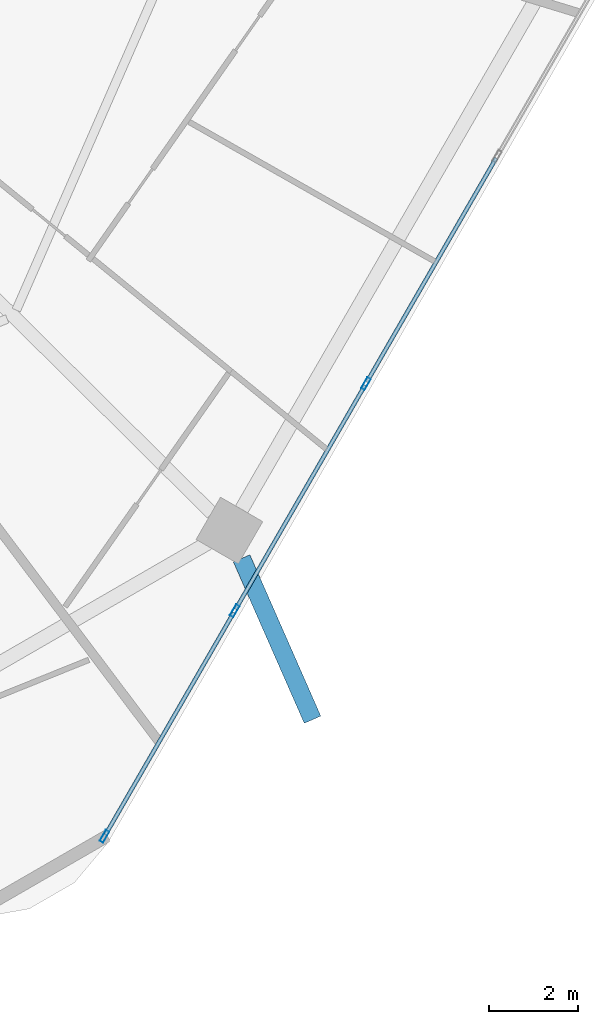
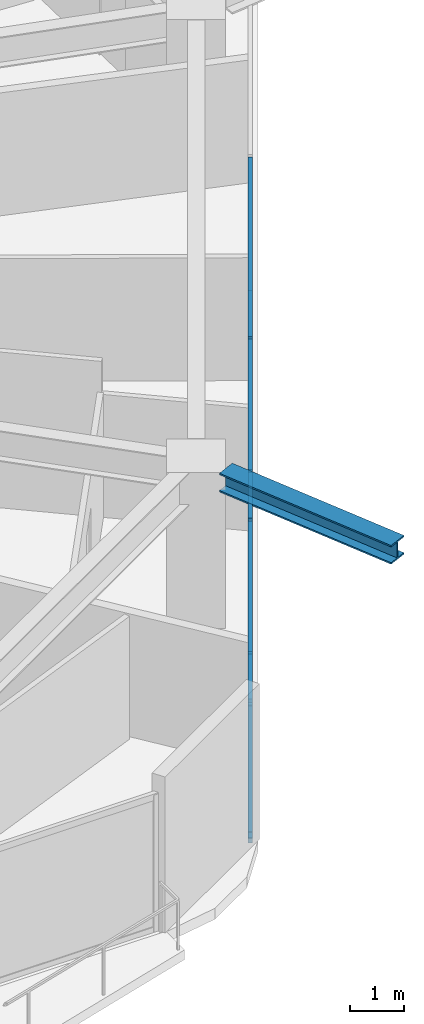
# One storey, part 9 of 33: 9 members, 1 beam, 1 element without a shape of its own.
"""IFC4 building model written with IfcOpenShell, lengths in metres."""

import ifcopenshell
import ifcopenshell.guid

model = None  # the IFC model being written
_history = None  # IfcOwnerHistory: only IFC2X3 demands one
_inside = {}  # id of a spatial element -> (the spatial element, [elements in it])
_under = {}  # id of a project, library or spatial element -> (it, [spatial elements below it])
_declared = {}  # id of a project -> (the project, [libraries it declares])
_typed = {}  # id of a type object -> (the type object, [elements of that type])
_made_of = {}  # id of a material, layer set ... -> (it, [elements and type objects made of it])


def new_model(schema):
    """Start an empty IFC model of exactly this schema.

    Asked for "IFC4X3", IfcOpenShell would pick the latest addendum, in which some entities
    have other attributes; the version numbers below select the first issue.
    IFC2X3 requires an IfcOwnerHistory on every rooted entity: one is made here for all.
    """
    global model, _history
    if schema == "IFC4X3":
        model = ifcopenshell.file(schema_version=(4, 3, 0, 0))
    else:
        model = ifcopenshell.file(schema=schema)
    _inside.clear()
    _under.clear()
    _declared.clear()
    _typed.clear()
    _made_of.clear()
    _history = None
    if model.schema == "IFC2X3":
        org = make("IfcOrganization", Name="unknown")
        user = make(
            "IfcPersonAndOrganization",
            ThePerson=make("IfcPerson", FamilyName="unknown"),
            TheOrganization=org,
        )
        app = make(
            "IfcApplication",
            ApplicationDeveloper=org,
            Version="unknown",
            ApplicationFullName="unknown",
            ApplicationIdentifier="unknown",
        )
        _history = make(
            "IfcOwnerHistory",
            OwningUser=user,
            OwningApplication=app,
            ChangeAction="ADDED",
            CreationDate=0,
        )
    return model


def make(cls, **values):
    """One entity of the class cls with the attributes given. An attribute that is None is left unset."""
    return model.create_entity(
        cls, **{name: value for name, value in values.items() if value is not None}
    )


def rooted(cls, **values):
    """An entity with a GlobalId (a new one), such as an element, a storey or a relation."""
    return make(cls, GlobalId=ifcopenshell.guid.new(), OwnerHistory=_history, **values)


def si_unit(unit_type, name, prefix=None):
    """IfcSIUnit, for example si_unit("LENGTHUNIT", "METRE", prefix="MILLI")."""
    return make("IfcSIUnit", UnitType=unit_type, Prefix=prefix, Name=name)


def assignment(units):
    """IfcUnitAssignment: the units of a project."""
    return None if units is None else make("IfcUnitAssignment", Units=units)


def point(xyz):
    """IfcCartesianPoint."""
    return None if xyz is None else make("IfcCartesianPoint", Coordinates=xyz)


def direction(xyz):
    """IfcDirection."""
    return None if xyz is None else make("IfcDirection", DirectionRatios=xyz)


def frame(location, z_axis=None, x_axis=None):
    """IfcAxis2Placement3D, a coordinate frame: its origin and axes. An axis left out is left unset."""
    return make(
        "IfcAxis2Placement3D",
        Location=point(location),
        Axis=direction(z_axis),
        RefDirection=direction(x_axis),
    )


def frame_2d(location, x_axis=None):
    """IfcAxis2Placement2D, a coordinate frame in the plane: its origin and x axis."""
    return make(
        "IfcAxis2Placement2D", Location=point(location), RefDirection=direction(x_axis)
    )


def origin():
    """The frame at (0, 0, 0) with its axes left unset."""
    return frame((0.0, 0.0, 0.0))


def origin_2d():
    """The frame at (0, 0) in the plane with its x axis left unset."""
    return frame_2d((0.0, 0.0))


def place(relative_to, where):
    """IfcLocalPlacement: puts the frame where relative to a parent placement (None: the world)."""
    return make(
        "IfcLocalPlacement", PlacementRelTo=relative_to, RelativePlacement=where
    )


def context(
    kind, dimensions, precision=None, world=None, true_north=None, identifier=None
):
    """IfcGeometricRepresentationContext, for example the 3D "Model" context."""
    return make(
        "IfcGeometricRepresentationContext",
        ContextIdentifier=identifier,
        ContextType=kind,
        CoordinateSpaceDimension=dimensions,
        Precision=precision,
        WorldCoordinateSystem=world,
        TrueNorth=true_north,
    )


def subcontext(parent, identifier, kind, view, scale=None):
    """IfcGeometricRepresentationSubContext, for example "Body" below "Model"."""
    return make(
        "IfcGeometricRepresentationSubContext",
        ContextIdentifier=identifier,
        ContextType=kind,
        ParentContext=parent,
        TargetScale=scale,
        TargetView=view,
    )


def project(units=None, contexts=None):
    """IfcProject with its units and contexts."""
    return rooted(
        "IfcProject",
        Name="project",
        RepresentationContexts=contexts,
        UnitsInContext=assignment(units),
    )


def spatial(cls, under=None, at=None, **own):
    """A site, building, storey or space (cls), placed at a placement, below another one or the project."""
    s = rooted(cls, ObjectPlacement=at, **own)
    if under is not None:
        _under.setdefault(under.id(), (under, []))[1].append(s)
    return s


def profile(cls, at=None, kind="AREA", **sizes):
    """A parametric profile (cls). Its sizes go by their IFC names, for example OverallWidth=200.0."""
    return make(cls, ProfileType=kind, Position=at, **sizes)


def hollow_rectangle(**sizes):
    """IfcRectangleHollowProfileDef."""
    return profile("IfcRectangleHollowProfileDef", **sizes)


def i_section(**sizes):
    """IfcIShapeProfileDef."""
    return profile("IfcIShapeProfileDef", **sizes)


def extrude(swept, where, along, depth):
    """IfcExtrudedAreaSolid: the profile swept, set in the frame where, extruded along a direction by depth."""
    return make(
        "IfcExtrudedAreaSolid",
        SweptArea=swept,
        Position=where,
        ExtrudedDirection=direction(along),
        Depth=depth,
    )


def shape(context_of_items, identifier, shape_type, items):
    """IfcShapeRepresentation: the items that make up one representation, for example the "Body"."""
    return make(
        "IfcShapeRepresentation",
        ContextOfItems=context_of_items,
        RepresentationIdentifier=identifier,
        RepresentationType=shape_type,
        Items=items,
    )


def material(Name=None, Category=None):
    """IfcMaterial."""
    return make("IfcMaterial", Name=Name, Category=Category)


def material_profile(
    of_material, cross_section, Name=None, Category=None, Priority=None
):
    """IfcMaterialProfile: a cross section and its material."""
    return make(
        "IfcMaterialProfile",
        Name=Name,
        Material=of_material,
        Profile=cross_section,
        Priority=Priority,
        Category=Category,
    )


def profile_set(profiles, Name=None, composite=None):
    """IfcMaterialProfileSet."""
    return make(
        "IfcMaterialProfileSet",
        Name=Name,
        MaterialProfiles=profiles,
        CompositeProfile=composite,
    )


def made_of(thing, what):
    """Note that an element or type object is made of a material, layer set ...; save() writes the relation."""
    if what is not None:
        _made_of.setdefault(what.id(), (what, []))[1].append(thing)
    return thing


def type_object(cls, material=None, **own):
    """A type object (cls), such as IfcWallType, which elements share."""
    return made_of(rooted(cls, **own), material)


def element(
    cls,
    number,
    at=None,
    inside=None,
    cuts=None,
    type_object=None,
    material=None,
    context=None,
    identifier="Body",
    shape_type=None,
    held_by="IfcProductDefinitionShape",
    body=None,
    shapes=None,
    **own,
):
    """One element of the class cls, such as IfcWall. Its Tag is "e" and its number.

    at: its placement. inside: the storey or other place that contains it. cuts: it is an
    opening in that element (IfcRelVoidsElement). A single representation is given by context,
    identifier, shape_type and body (its items); several are given by shapes. held_by: the class
    of the entity that holds the representations. save() writes the other relations.
    """
    e = rooted(cls, Tag="e%d" % number, ObjectPlacement=at, **own)
    if body is not None:
        shapes = [shape(context, identifier, shape_type, body)]
    if shapes is not None:
        e.Representation = make(held_by, Representations=shapes)
    if inside is not None:
        _inside.setdefault(inside.id(), (inside, []))[1].append(e)
    if cuts is not None:
        rooted(
            "IfcRelVoidsElement", RelatingBuildingElement=cuts, RelatedOpeningElement=e
        )
    if type_object is not None:
        _typed.setdefault(type_object.id(), (type_object, []))[1].append(e)
    return made_of(e, material)


def aggregate(whole, parts):
    """IfcRelAggregates: a whole, such as a stair, and the parts it consists of."""
    return rooted("IfcRelAggregates", RelatingObject=whole, RelatedObjects=parts)


def save(model, path):
    """Write the relations noted so far, then the file.

    IfcRelAggregates (storeys below a building ...), IfcRelContainedInSpatialStructure (elements
    in a storey), IfcRelDefinesByType, IfcRelAssociatesMaterial and IfcRelDeclares: one each for
    every whole, place, type object, material and project.
    """
    for whole, parts in _under.values():
        aggregate(whole, parts)
    for where, things in _inside.values():
        rooted(
            "IfcRelContainedInSpatialStructure",
            RelatedElements=things,
            RelatingStructure=where,
        )
    for kind, things in _typed.values():
        rooted("IfcRelDefinesByType", RelatedObjects=things, RelatingType=kind)
    for what, things in _made_of.values():
        rooted("IfcRelAssociatesMaterial", RelatedObjects=things, RelatingMaterial=what)
    for by, libraries in _declared.values():
        rooted("IfcRelDeclares", RelatingContext=by, RelatedDefinitions=libraries)
    model.write(path)


model = new_model("IFC4")

# Units and contexts
model_context = context("Model", 3, precision=1e-05, world=origin(), true_north=direction((0.0, 1.0)))
body_context = subcontext(model_context, "Body", "Model", "MODEL_VIEW")
ifc_project = project(units=[si_unit("LENGTHUNIT", "METRE"), si_unit("AREAUNIT", "SQUARE_METRE"), si_unit("VOLUMEUNIT", "CUBIC_METRE"), si_unit("PLANEANGLEUNIT", "RADIAN"), si_unit("MASSUNIT", "GRAM", prefix="KILO")], contexts=[model_context])

# Site, building, storey
site_placement = place(None, origin())
site = spatial("IfcSite", under=ifc_project, at=site_placement, CompositionType="ELEMENT")
building_placement = place(site_placement, origin())
building = spatial("IfcBuilding", under=site, at=building_placement, Name="Zuhravey Tower", CompositionType="ELEMENT")
storey_placement = place(building_placement, frame((0.0, 0.0, 103.800048828125)))
storey = spatial("IfcBuildingStorey", under=building, at=storey_placement, Name="L25", CompositionType="ELEMENT", Elevation=103.800048828125)

# Curtain wall, members
ifc_material_1 = material(Name="Thermally broken anodised aluminium", Category="aluminium")
curtain_wall_type = type_object("IfcCurtainWallType", Name="Zone 1-2 Residential Curtain Wall CW3", PredefinedType="NOTDEFINED", material=ifc_material_1)
curtain_wall_placement = place(storey_placement, origin())
curtain_wall = element("IfcCurtainWall", 1, at=curtain_wall_placement, inside=storey, type_object=curtain_wall_type, Name="L25 CW3 CW-L25-F6-1", PredefinedType="NOTDEFINED")
ifc_material_2 = material(Name="Anodised aluminium", Category="aluminium")
ifc_material_profile_1 = material_profile(ifc_material_2, hollow_rectangle(XDim=0.090087890625, YDim=0.284912109375, WallThickness=0.0048828125, at=origin_2d()), Name="ALU-RHS-90x285x5")
ifc_profile_set_1 = profile_set([ifc_material_profile_1], Name="Anodised aluminium")
member_type_1 = type_object("IfcMemberType", Name="Curtain-Wall Mullion 90x180", PredefinedType="MULLION", material=ifc_profile_set_1)
member_1_placement = place(storey_placement, frame((59.598876953125, 14.95751953125, 0.0), z_axis=(0.0, 0.0, 1.0), x_axis=(0.86602552265, -0.499999794119, 0.0)))
member_1 = element("IfcMember", 2, at=member_1_placement, type_object=member_type_1, Name="CW3 mullion 4", PredefinedType="MULLION", context=body_context, shape_type="SweptSolid", body=[
    extrude(hollow_rectangle(XDim=0.090087890625, YDim=0.284912109375, WallThickness=0.0048828125, at=origin_2d()), origin(), (0.0, 0.0, 1.0), 3.1220703125),
])
member_2_placement = place(storey_placement, frame((56.638916015625, 9.830810546875, 0.0), z_axis=(0.0, 0.0, 1.0), x_axis=(0.86602552265, -0.499999794119, 0.0)))
member_2 = element("IfcMember", 3, at=member_2_placement, type_object=member_type_1, Name="CW3 mullion 5", PredefinedType="MULLION", context=body_context, shape_type="SweptSolid", body=[
    extrude(hollow_rectangle(XDim=0.090087890625, YDim=0.284912109375, WallThickness=0.0048828125, at=origin_2d()), origin(), (0.0, 0.0, 1.0), 3.1220703125),
])
member_3_placement = place(storey_placement, frame((53.701416015625, 4.742919921875, 0.0), z_axis=(0.0, 0.0, 1.0), x_axis=(0.86602552265, -0.499999794119, 0.0)))
member_3 = element("IfcMember", 4, at=member_3_placement, type_object=member_type_1, Name="CW3 mullion 6", PredefinedType="MULLION", context=body_context, shape_type="SweptSolid", body=[
    extrude(hollow_rectangle(XDim=0.090087890625, YDim=0.284912109375, WallThickness=0.0048828125, at=origin_2d()), origin(), (0.0, 0.0, 1.0), 3.1220703125),
])
ifc_material_profile_2 = material_profile(ifc_material_2, hollow_rectangle(XDim=0.090087890625, YDim=0.14990234375, WallThickness=0.0048828125, at=origin_2d()), Name="ALU-RHS-90x150x5")
ifc_profile_set_2 = profile_set([ifc_material_profile_2], Name="Anodised aluminium")
member_type_2 = type_object("IfcMemberType", Name="Curtain-Wall Transom 90x150", PredefinedType="USERDEFINED", material=ifc_profile_set_2)
member_4_placement = place(storey_placement, frame((62.5361328125, 20.045166015625, 0.044921875), z_axis=(-0.499981042766, -0.866036348472, 0.0), x_axis=(0.866036348472, -0.499981042766, 0.0)))
member_4 = element("IfcMember", 5, at=member_4_placement, type_object=member_type_2, Name="CW3 transom 3.1", ObjectType="TRANSOM", PredefinedType="USERDEFINED", context=body_context, shape_type="SweptSolid", body=[
    extrude(hollow_rectangle(XDim=0.090087890625, YDim=0.14990234375, WallThickness=0.0048828125, at=origin_2d()), origin(), (0.0, 0.0, 1.0), 5.829833984375),
])
member_5_placement = place(storey_placement, frame((62.5361328125, 20.045166015625, 3.076904296875), z_axis=(-0.499981042766, -0.866036348472, 0.0), x_axis=(0.866036348472, -0.499981042766, 0.0)))
member_5 = element("IfcMember", 6, at=member_5_placement, type_object=member_type_2, Name="CW3 transom 3.2", ObjectType="TRANSOM", PredefinedType="USERDEFINED", context=body_context, shape_type="SweptSolid", body=[
    extrude(hollow_rectangle(XDim=0.090087890625, YDim=0.14990234375, WallThickness=0.0048828125, at=origin_2d()), origin(), (0.0, 0.0, 1.0), 5.829833984375),
])
member_6_placement = place(storey_placement, frame((59.576416015625, 14.91845703125, 0.044921875), z_axis=(-0.500012451049, -0.866018215049, 0.0), x_axis=(0.866018215049, -0.500012451049, 0.0)))
member_6 = element("IfcMember", 7, at=member_6_placement, type_object=member_type_2, Name="CW3 transom 4.1", ObjectType="TRANSOM", PredefinedType="USERDEFINED", context=body_context, shape_type="SweptSolid", body=[
    extrude(hollow_rectangle(XDim=0.090087890625, YDim=0.14990234375, WallThickness=0.0048828125, at=origin_2d()), origin(), (0.0, 0.0, 1.0), 5.829833984375),
])
member_7_placement = place(storey_placement, frame((59.576416015625, 14.91845703125, 3.076904296875), z_axis=(-0.500012451049, -0.866018215049, 0.0), x_axis=(0.866018215049, -0.500012451049, 0.0)))
member_7 = element("IfcMember", 8, at=member_7_placement, type_object=member_type_2, Name="CW3 transom 4.2", ObjectType="TRANSOM", PredefinedType="USERDEFINED", context=body_context, shape_type="SweptSolid", body=[
    extrude(hollow_rectangle(XDim=0.090087890625, YDim=0.14990234375, WallThickness=0.0048828125, at=origin_2d()), origin(), (0.0, 0.0, 1.0), 5.829833984375),
])
member_8_placement = place(storey_placement, frame((56.616455078125, 9.791748046875, 0.044921875), z_axis=(-0.499992798144, -0.866029561738, 0.0), x_axis=(0.866029561738, -0.499992798144, 0.0)))
member_8 = element("IfcMember", 9, at=member_8_placement, type_object=member_type_2, Name="CW3 transom 5.1", ObjectType="TRANSOM", PredefinedType="USERDEFINED", context=body_context, shape_type="SweptSolid", body=[
    extrude(hollow_rectangle(XDim=0.090087890625, YDim=0.14990234375, WallThickness=0.0048828125, at=origin_2d()), origin(), (0.0, 0.0, 1.0), 5.78466796875),
])
member_9_placement = place(storey_placement, frame((56.616455078125, 9.791748046875, 3.076904296875), z_axis=(-0.499992798144, -0.866029561738, 0.0), x_axis=(0.866029561738, -0.499992798144, 0.0)))
member_9 = element("IfcMember", 10, at=member_9_placement, type_object=member_type_2, Name="CW3 transom 5.2", ObjectType="TRANSOM", PredefinedType="USERDEFINED", context=body_context, shape_type="SweptSolid", body=[
    extrude(hollow_rectangle(XDim=0.090087890625, YDim=0.14990234375, WallThickness=0.0048828125, at=origin_2d()), origin(), (0.0, 0.0, 1.0), 5.78466796875),
])
aggregate(curtain_wall, [member_1, member_2, member_3, member_4, member_5, member_6, member_7, member_8, member_9])

# Beam
ifc_material_3 = material(Name="Steel SM460", Category="steel")
ifc_material_profile_3 = material_profile(ifc_material_3, i_section(OverallWidth=0.406982421875, OverallDepth=0.427978515625, WebThickness=0.02001953125, FlangeThickness=0.034912109375, at=origin_2d()), Name="H-428x407x20x35")
ifc_profile_set_3 = profile_set([ifc_material_profile_3], Name="Steel SM460")
beam_type = type_object("IfcBeamType", Name="Exoskeleton Node Tie Beam H428x407", PredefinedType="BEAM", material=ifc_profile_set_3)
beam_placement = place(storey_placement, frame((56.795166015625, 11.014892578125, 3.3359375), z_axis=(0.402345456296, -0.915487921164, 0.0), x_axis=(0.915487921164, 0.402345456296, 0.0)))
element("IfcBeam", 11, at=beam_placement, inside=storey, type_object=beam_type, Name="L25 Exoskeleton Node Tie NT1-11", PredefinedType="BEAM", context=body_context, shape_type="SweptSolid", body=[
    extrude(i_section(OverallWidth=0.406982421875, OverallDepth=0.427978515625, WebThickness=0.02001953125, FlangeThickness=0.034912109375, at=origin_2d()), origin(), (0.0, 0.0, 1.0), 3.97509765625),
])

save(model, "model.ifc")
